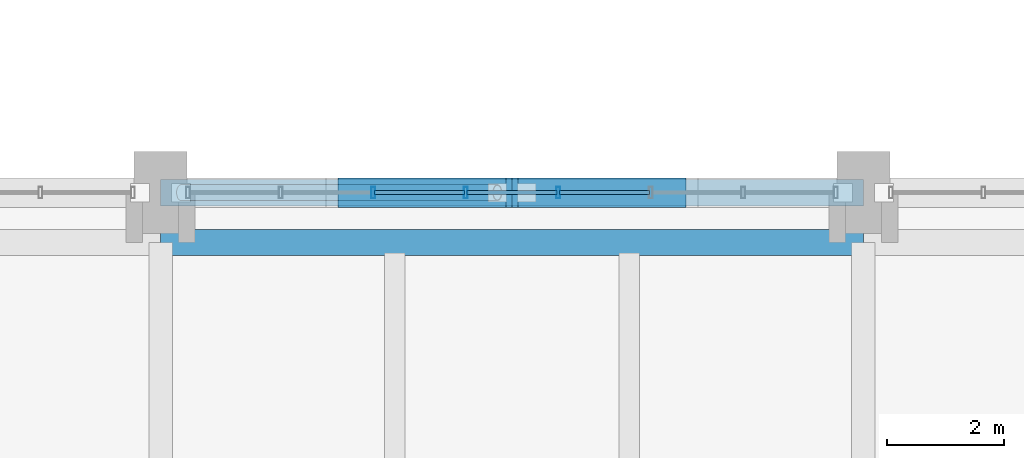
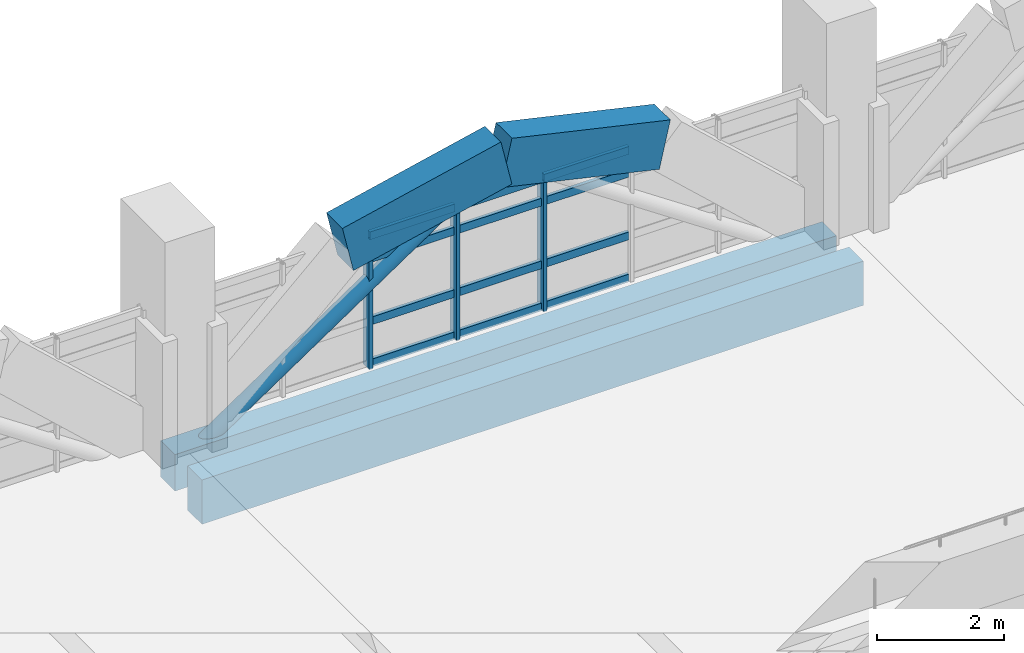
# One storey, part 31 of 161: 16 members, 4 beams, 1 element without a shape of its own.
"""IFC4 building model written with IfcOpenShell, lengths in metres."""

from ifc_helpers import new_model, si_unit, direction, frame, origin, origin_2d, place, context, subcontext, project, spatial, rectangle, hollow_rectangle, hollow_circle, extrude, material, layer, layer_set, material_profile, profile_set, type_object, element, aggregate, save


model = new_model("IFC4")

# Units and contexts
model_context = context("Model", 3, precision=1e-05, world=origin(), true_north=direction((0.0, 1.0)))
body_context = subcontext(model_context, "Body", "Model", "MODEL_VIEW")
ifc_project = project(units=[si_unit("LENGTHUNIT", "METRE"), si_unit("AREAUNIT", "SQUARE_METRE"), si_unit("VOLUMEUNIT", "CUBIC_METRE"), si_unit("PLANEANGLEUNIT", "RADIAN"), si_unit("MASSUNIT", "GRAM", prefix="KILO")], contexts=[model_context])

# Site, building, storey
site_placement = place(None, origin())
site = spatial("IfcSite", under=ifc_project, at=site_placement, CompositionType="ELEMENT")
building_placement = place(site_placement, origin())
building = spatial("IfcBuilding", under=site, at=building_placement, Name="Mersad Railyard Sports Hall", CompositionType="ELEMENT")
storey_placement = place(building_placement, frame((0.0, 0.0, 4.800048828125)))
storey = spatial("IfcBuildingStorey", under=building, at=storey_placement, Name="L01", CompositionType="ELEMENT", Elevation=4.800048828125)

# Curtain wall, members
ifc_material_1 = material(Name="Aluminium 6063-T6", Category="aluminium")
ifc_layer = layer(ifc_material_1, 0.199951171875)
ifc_layer_set = layer_set([ifc_layer], Name="Aluminium 6063-T6")
curtain_wall_type = type_object("IfcCurtainWallType", Name="ARC-CW-CW02", PredefinedType="USERDEFINED", material=ifc_layer_set)
curtain_wall_placement = place(storey_placement, origin())
curtain_wall = element("IfcCurtainWall", 1, at=curtain_wall_placement, inside=storey, type_object=curtain_wall_type, Name="Curtain wall CW02-0010", ObjectType="CURTAIN WALL", PredefinedType="USERDEFINED")
ifc_material_profile_1 = material_profile(ifc_material_1, hollow_rectangle(XDim=0.06494140625, YDim=0.199951171875, WallThickness=0.0048828125, at=origin_2d()), Name="AL MULLION 65x200x5")
ifc_profile_set_1 = profile_set([ifc_material_profile_1], Name="Aluminium 6063-T6")
member_type_1 = type_object("IfcMemberType", Name="ARC-CW-MUL02", PredefinedType="MULLION", material=ifc_profile_set_1)
member_1_placement = place(storey_placement, frame((34.6298828125, 53.5, -0.02001953125), z_axis=(0.0, 0.0, 1.0), x_axis=(1.0, 0.0, 0.0)))
member_1 = element("IfcMember", 2, at=member_1_placement, type_object=member_type_1, Name="CW02 Mullion 3", PredefinedType="MULLION", context=body_context, shape_type="SweptSolid", body=[
    extrude(hollow_rectangle(XDim=0.06494140625, YDim=0.199951171875, WallThickness=0.0048828125, at=origin_2d()), origin(), (0.0, 0.0, 1.0), 2.570068359375),
])
member_2_placement = place(storey_placement, frame((36.2099609375, 53.5, -0.02001953125), z_axis=(0.0, 0.0, 1.0), x_axis=(1.0, 0.0, 0.0)))
member_2 = element("IfcMember", 3, at=member_2_placement, type_object=member_type_1, Name="CW02 Mullion 4", PredefinedType="MULLION", context=body_context, shape_type="SweptSolid", body=[
    extrude(hollow_rectangle(XDim=0.06494140625, YDim=0.199951171875, WallThickness=0.0048828125, at=origin_2d()), origin(), (0.0, 0.0, 1.0), 2.570068359375),
])
member_3_placement = place(storey_placement, frame((37.7900390625, 53.5, -0.02001953125), z_axis=(0.0, 0.0, 1.0), x_axis=(1.0, 0.0, 0.0)))
member_3 = element("IfcMember", 4, at=member_3_placement, type_object=member_type_1, Name="CW02 Mullion 5", PredefinedType="MULLION", context=body_context, shape_type="SweptSolid", body=[
    extrude(hollow_rectangle(XDim=0.06494140625, YDim=0.199951171875, WallThickness=0.0048828125, at=origin_2d()), origin(), (0.0, 0.0, 1.0), 2.570068359375),
])
ifc_material_profile_2 = material_profile(ifc_material_1, hollow_rectangle(XDim=0.06494140625, YDim=0.14990234375, WallThickness=0.00439453125, at=origin_2d()), Name="AL TRANSOM 65x150x4.5")
ifc_profile_set_2 = profile_set([ifc_material_profile_2], Name="Aluminium 6063-T6")
member_type_2 = type_object("IfcMemberType", Name="ARC-CW-TRN02", PredefinedType="USERDEFINED", material=ifc_profile_set_2)
member_4_placement = place(storey_placement, frame((34.64990234375, 53.5, 0.0400390625), z_axis=(1.0, 0.0, 0.0), x_axis=(0.0, 1.0, 0.0)))
member_4 = element("IfcMember", 5, at=member_4_placement, type_object=member_type_2, Name="CW02 Transom 1-3", ObjectType="TRANSOM", PredefinedType="USERDEFINED", context=body_context, shape_type="SweptSolid", body=[
    extrude(hollow_rectangle(XDim=0.06494140625, YDim=0.14990234375, WallThickness=0.00439453125, at=origin_2d()), origin(), (0.0, 0.0, 1.0), 1.5400390625),
])
member_5_placement = place(storey_placement, frame((36.22998046875, 53.5, 0.0400390625), z_axis=(1.0, 0.0, 0.0), x_axis=(0.0, 1.0, 0.0)))
member_5 = element("IfcMember", 6, at=member_5_placement, type_object=member_type_2, Name="CW02 Transom 1-4", ObjectType="TRANSOM", PredefinedType="USERDEFINED", context=body_context, shape_type="SweptSolid", body=[
    extrude(hollow_rectangle(XDim=0.06494140625, YDim=0.14990234375, WallThickness=0.00439453125, at=origin_2d()), origin(), (0.0, 0.0, 1.0), 1.5400390625),
])
member_6_placement = place(storey_placement, frame((37.81005859375, 53.5, 0.0400390625), z_axis=(1.0, 0.0, 0.0), x_axis=(0.0, 1.0, 0.0)))
member_6 = element("IfcMember", 7, at=member_6_placement, type_object=member_type_2, Name="CW02 Transom 1-5", ObjectType="TRANSOM", PredefinedType="USERDEFINED", context=body_context, shape_type="SweptSolid", body=[
    extrude(hollow_rectangle(XDim=0.06494140625, YDim=0.14990234375, WallThickness=0.00439453125, at=origin_2d()), origin(), (0.0, 0.0, 1.0), 1.5400390625),
])
member_7_placement = place(storey_placement, frame((34.64990234375, 53.5, 0.849853515625), z_axis=(1.0, 0.0, 0.0), x_axis=(0.0, 1.0, 0.0)))
member_7 = element("IfcMember", 8, at=member_7_placement, type_object=member_type_2, Name="CW02 Transom 2-3", ObjectType="TRANSOM", PredefinedType="USERDEFINED", context=body_context, shape_type="SweptSolid", body=[
    extrude(hollow_rectangle(XDim=0.06494140625, YDim=0.14990234375, WallThickness=0.00439453125, at=origin_2d()), origin(), (0.0, 0.0, 1.0), 1.5400390625),
])
member_8_placement = place(storey_placement, frame((36.22998046875, 53.5, 0.849853515625), z_axis=(1.0, 0.0, 0.0), x_axis=(0.0, 1.0, 0.0)))
member_8 = element("IfcMember", 9, at=member_8_placement, type_object=member_type_2, Name="CW02 Transom 2-4", ObjectType="TRANSOM", PredefinedType="USERDEFINED", context=body_context, shape_type="SweptSolid", body=[
    extrude(hollow_rectangle(XDim=0.06494140625, YDim=0.14990234375, WallThickness=0.00439453125, at=origin_2d()), origin(), (0.0, 0.0, 1.0), 1.5400390625),
])
member_9_placement = place(storey_placement, frame((37.81005859375, 53.5, 0.849853515625), z_axis=(1.0, 0.0, 0.0), x_axis=(0.0, 1.0, 0.0)))
member_9 = element("IfcMember", 10, at=member_9_placement, type_object=member_type_2, Name="CW02 Transom 2-5", ObjectType="TRANSOM", PredefinedType="USERDEFINED", context=body_context, shape_type="SweptSolid", body=[
    extrude(hollow_rectangle(XDim=0.06494140625, YDim=0.14990234375, WallThickness=0.00439453125, at=origin_2d()), origin(), (0.0, 0.0, 1.0), 1.5400390625),
])
member_10_placement = place(storey_placement, frame((34.64990234375, 53.5, 2.050048828125), z_axis=(1.0, 0.0, 0.0), x_axis=(0.0, 1.0, 0.0)))
member_10 = element("IfcMember", 11, at=member_10_placement, type_object=member_type_2, Name="CW02 Transom 3-3", ObjectType="TRANSOM", PredefinedType="USERDEFINED", context=body_context, shape_type="SweptSolid", body=[
    extrude(hollow_rectangle(XDim=0.06494140625, YDim=0.14990234375, WallThickness=0.00439453125, at=origin_2d()), origin(), (0.0, 0.0, 1.0), 1.5400390625),
])
member_11_placement = place(storey_placement, frame((36.22998046875, 53.5, 2.050048828125), z_axis=(1.0, 0.0, 0.0), x_axis=(0.0, 1.0, 0.0)))
member_11 = element("IfcMember", 12, at=member_11_placement, type_object=member_type_2, Name="CW02 Transom 3-4", ObjectType="TRANSOM", PredefinedType="USERDEFINED", context=body_context, shape_type="SweptSolid", body=[
    extrude(hollow_rectangle(XDim=0.06494140625, YDim=0.14990234375, WallThickness=0.00439453125, at=origin_2d()), origin(), (0.0, 0.0, 1.0), 1.5400390625),
])
member_12_placement = place(storey_placement, frame((37.81005859375, 53.5, 2.050048828125), z_axis=(1.0, 0.0, 0.0), x_axis=(0.0, 1.0, 0.0)))
member_12 = element("IfcMember", 13, at=member_12_placement, type_object=member_type_2, Name="CW02 Transom 3-5", ObjectType="TRANSOM", PredefinedType="USERDEFINED", context=body_context, shape_type="SweptSolid", body=[
    extrude(hollow_rectangle(XDim=0.06494140625, YDim=0.14990234375, WallThickness=0.00439453125, at=origin_2d()), origin(), (0.0, 0.0, 1.0), 1.5400390625),
])
member_13_placement = place(storey_placement, frame((34.64990234375, 53.5, 2.489990234375), z_axis=(1.0, 0.0, 0.0), x_axis=(0.0, 1.0, 0.0)))
member_13 = element("IfcMember", 14, at=member_13_placement, type_object=member_type_2, Name="CW02 Transom 4-3", ObjectType="TRANSOM", PredefinedType="USERDEFINED", context=body_context, shape_type="SweptSolid", body=[
    extrude(hollow_rectangle(XDim=0.06494140625, YDim=0.14990234375, WallThickness=0.00439453125, at=origin_2d()), origin(), (0.0, 0.0, 1.0), 1.5400390625),
])
member_14_placement = place(storey_placement, frame((36.22998046875, 53.5, 2.489990234375), z_axis=(1.0, 0.0, 0.0), x_axis=(0.0, 1.0, 0.0)))
member_14 = element("IfcMember", 15, at=member_14_placement, type_object=member_type_2, Name="CW02 Transom 4-4", ObjectType="TRANSOM", PredefinedType="USERDEFINED", context=body_context, shape_type="SweptSolid", body=[
    extrude(hollow_rectangle(XDim=0.06494140625, YDim=0.14990234375, WallThickness=0.00439453125, at=origin_2d()), origin(), (0.0, 0.0, 1.0), 1.5400390625),
])
member_15_placement = place(storey_placement, frame((37.81005859375, 53.5, 2.489990234375), z_axis=(1.0, 0.0, 0.0), x_axis=(0.0, 1.0, 0.0)))
member_15 = element("IfcMember", 16, at=member_15_placement, type_object=member_type_2, Name="CW02 Transom 4-5", ObjectType="TRANSOM", PredefinedType="USERDEFINED", context=body_context, shape_type="SweptSolid", body=[
    extrude(hollow_rectangle(XDim=0.06494140625, YDim=0.14990234375, WallThickness=0.00439453125, at=origin_2d()), origin(), (0.0, 0.0, 1.0), 1.5400390625),
])
aggregate(curtain_wall, [member_1, member_2, member_3, member_4, member_5, member_6, member_7, member_8, member_9, member_10, member_11, member_12, member_13, member_14, member_15])

# Beams
ifc_material_2 = material(Name="Concrete C40/50", Category="concrete")
ifc_material_profile_3 = material_profile(ifc_material_2, rectangle(XDim=0.449951171875, YDim=0.85009765625, at=origin_2d()), Name="RC 450x850")
ifc_profile_set_3 = profile_set([ifc_material_profile_3], Name="Concrete C40/50")
beam_type_1 = type_object("IfcBeamType", Name="STR-BM-B02", PredefinedType="BEAM", material=ifc_profile_set_3)
beam_1_placement = place(storey_placement, frame((31.0, 52.64990234375, -0.705078125), z_axis=(1.0, 0.0, 0.0), x_axis=(0.0, 1.0, 0.0)))
element("IfcBeam", 17, at=beam_1_placement, inside=storey, type_object=beam_type_1, Name="Beam B02-0306", PredefinedType="BEAM", context=body_context, shape_type="SweptSolid", body=[
    extrude(rectangle(XDim=0.449951171875, YDim=0.85009765625, at=origin_2d()), origin(), (0.0, 0.0, 1.0), 12.0),
])
ifc_material_3 = material(Name="Architectural concrete C40/50", Category="concrete")
ifc_material_profile_4 = material_profile(ifc_material_3, rectangle(XDim=0.449951171875, YDim=0.699951171875, at=origin_2d()), Name="RC 450x700")
ifc_profile_set_4 = profile_set([ifc_material_profile_4], Name="Architectural concrete C40/50")
beam_type_2 = type_object("IfcBeamType", Name="STR-BM-SP01", PredefinedType="SPANDREL", material=ifc_profile_set_4)
beam_2_placement = place(storey_placement, frame((31.0, 53.5, -0.66015625), z_axis=(1.0, 0.0, 0.0), x_axis=(0.0, 1.0, 0.0)))
element("IfcBeam", 18, at=beam_2_placement, inside=storey, type_object=beam_type_2, Name="Beam SP01-0345", PredefinedType="SPANDREL", context=body_context, shape_type="SweptSolid", body=[
    extrude(rectangle(XDim=0.449951171875, YDim=0.699951171875, at=origin_2d()), origin(), (0.0, 0.0, 1.0), 12.0),
])
ifc_material_4 = material(Name="Architectural concrete C50/60", Category="concrete")
ifc_material_profile_5 = material_profile(ifc_material_4, rectangle(XDim=0.5, YDim=0.89990234375, at=origin_2d()), Name="VR 500x900")
ifc_profile_set_5 = profile_set([ifc_material_profile_5], Name="Architectural concrete C50/60")
beam_type_3 = type_object("IfcBeamType", Name="STR-BM-VR02", PredefinedType="BEAM", material=ifc_profile_set_5)
for number, where, z_axis, x_axis, name in (
    (19, (34.125, 53.5, 2.54736328125), (0.97519301708, 0.0, 0.221356227467), (0.0, 1.0, 0.0), "Beam VR02-0349"),
    (20, (37.0, 53.5, 3.199951171875), (0.97519301708, 0.0, -0.221356227467), (0.0, 1.0, 0.0), "Beam VR02-0351"),
):
    element("IfcBeam", number, at=place(storey_placement, frame(where, z_axis=z_axis, x_axis=x_axis)), inside=storey, type_object=beam_type_3, Name=name, PredefinedType="BEAM", context=body_context, shape_type="SweptSolid", body=[
        extrude(rectangle(XDim=0.5, YDim=0.89990234375, at=origin_2d()), origin(), (0.0, 0.0, 1.0), 2.9482421875),
    ])

# Member
ifc_material_5 = material(Name="Steel S355", Category="steel")
ifc_material_profile_6 = material_profile(ifc_material_5, hollow_circle(Radius=0.136474609375, WallThickness=0.012451171875, at=origin_2d()), Name="CHS 273x12.5")
ifc_profile_set_6 = profile_set([ifc_material_profile_6], Name="Steel S355")
member_type_3 = type_object("IfcMemberType", Name="STR-MEM-BR02", PredefinedType="BRACE", material=ifc_profile_set_6)
member_16_placement = place(storey_placement, frame((31.35009765625, 53.5, -0.6201171875), z_axis=(0.829190125257, 0.0, 0.558966668215), x_axis=(0.0, 1.0, 0.0)))
element("IfcMember", 21, at=member_16_placement, inside=storey, type_object=member_type_3, Name="Structural member BR02-0011", PredefinedType="BRACE", context=body_context, shape_type="SweptSolid", body=[
    extrude(hollow_circle(Radius=0.136474609375, WallThickness=0.012451171875, at=origin_2d()), origin(), (0.0, 0.0, 1.0), 6.51220703125),
])

save(model, "model.ifc")
